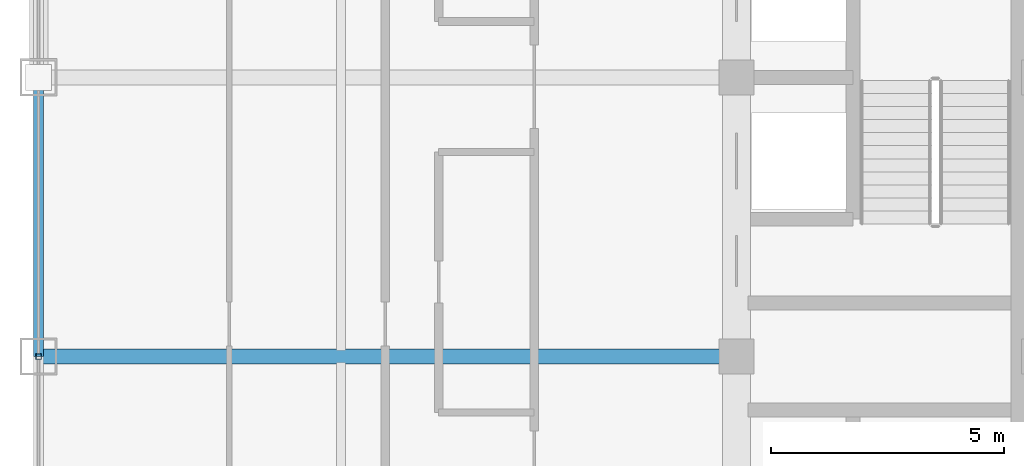
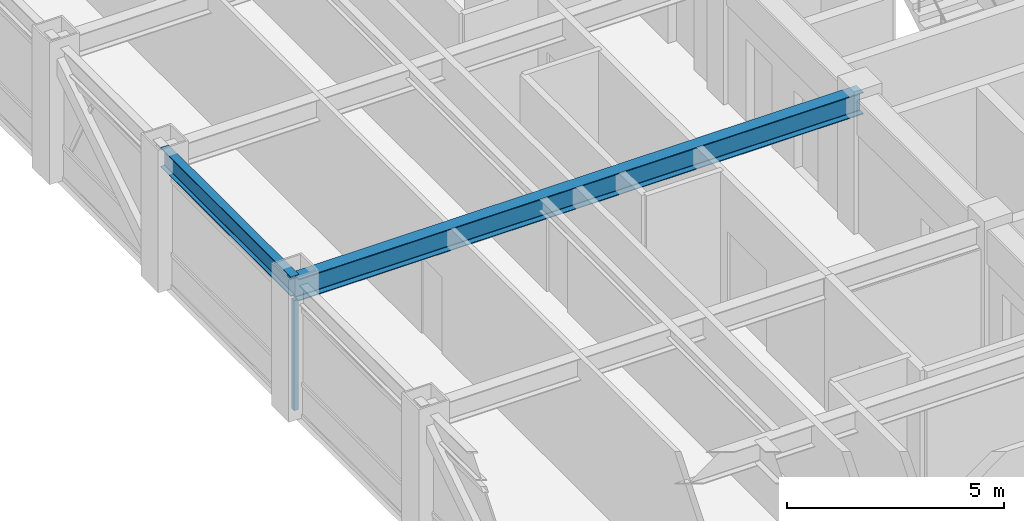
# One storey, part 6 of 28: 2 beams, 1 member, 1 element without a shape of its own.
"""IFC4 building model written with IfcOpenShell, lengths in metres."""

from ifc_helpers import new_model, si_unit, direction, frame, origin, origin_2d, place, context, subcontext, project, spatial, hollow_rectangle, i_section, extrude, source, transform, mapped, material, material_profile, profile_set, type_object, element, aggregate, save


model = new_model("IFC4")

# Units and contexts
model_context = context("Model", 3, precision=1e-05, world=origin(), true_north=direction((0.0, 1.0)))
body_context = subcontext(model_context, "Body", "Model", "MODEL_VIEW")
ifc_project = project(units=[si_unit("LENGTHUNIT", "METRE"), si_unit("AREAUNIT", "SQUARE_METRE"), si_unit("VOLUMEUNIT", "CUBIC_METRE"), si_unit("PLANEANGLEUNIT", "RADIAN"), si_unit("MASSUNIT", "GRAM", prefix="KILO")], contexts=[model_context])

# Site, building, storey
site_placement = place(None, origin())
site = spatial("IfcSite", under=ifc_project, at=site_placement, CompositionType="ELEMENT")
building_placement = place(site_placement, origin())
building = spatial("IfcBuilding", under=site, at=building_placement, Name="Khorayat Bourse Tower", CompositionType="ELEMENT")
storey_placement = place(building_placement, frame((0.0, 0.0, 330.300048828125)))
storey = spatial("IfcBuildingStorey", under=building, at=storey_placement, Name="L78", CompositionType="ELEMENT", Elevation=330.300048828125)

# Beams
ifc_material_1 = material(Name="Steel ASTM A992 Grade 50", Category="steel")
ifc_material_profile_1 = material_profile(ifc_material_1, i_section(OverallWidth=0.214111328125, OverallDepth=0.549072265625, WebThickness=0.0146484375, FlangeThickness=0.023681640625, FilletRadius=0.013916015625, at=origin_2d()), Name="W530X138")
ifc_profile_set_1 = profile_set([ifc_material_profile_1], Name="Steel ASTM A992 Grade 50")
beam_type_1 = type_object("IfcBeamType", Name="BM-SPAN-530", PredefinedType="SPANDREL", material=ifc_profile_set_1)
shared_shape_1 = source(origin(), body_context, "Body", "SweptSolid", [
    extrude(i_section(OverallWidth=0.214111328125, OverallDepth=0.549072265625, WebThickness=0.0146484375, FlangeThickness=0.023681640625, FilletRadius=0.013916015625, at=origin_2d()), origin(), (0.0, 0.0, 1.0), 6.0),
])
beam_1_placement = place(storey_placement, frame((-26.0, 0.0, 3.46533203125), z_axis=(0.0, 1.0, 0.0), x_axis=(-1.0, 0.0, 0.0)))
element("IfcBeam", 1, at=beam_1_placement, inside=storey, type_object=beam_type_1, Name="L78 BM-SPAN-530 BM-L78-SPN-050", PredefinedType="SPANDREL", context=body_context, shape_type="MappedRepresentation", body=[
    mapped(shared_shape_1, transform((0.0, 0.0, 0.0), scale=1.0)),
])
ifc_material_profile_2 = material_profile(ifc_material_1, i_section(OverallWidth=0.324951171875, OverallDepth=0.615966796875, WebThickness=0.013916015625, FlangeThickness=0.021484375, FilletRadius=0.01611328125, at=origin_2d()), Name="W610X174")
ifc_profile_set_2 = profile_set([ifc_material_profile_2], Name="Steel ASTM A992 Grade 50")
beam_type_2 = type_object("IfcBeamType", Name="BM-GIRD-610", PredefinedType="BEAM", material=ifc_profile_set_2)
shared_shape_2 = source(origin(), body_context, "Body", "SweptSolid", [
    extrude(i_section(OverallWidth=0.324951171875, OverallDepth=0.615966796875, WebThickness=0.013916015625, FlangeThickness=0.021484375, FilletRadius=0.01611328125, at=origin_2d()), origin(), (0.0, 0.0, 1.0), 15.0),
])
beam_2_placement = place(storey_placement, frame((-26.0, 0.0, 3.431884765625), z_axis=(1.0, 0.0, 0.0), x_axis=(0.0, 1.0, 0.0)))
element("IfcBeam", 2, at=beam_2_placement, inside=storey, type_object=beam_type_2, Name="L78 BM-GIRD-610 BM-L78-RADX-071", PredefinedType="BEAM", context=body_context, shape_type="MappedRepresentation", body=[
    mapped(shared_shape_2, transform((0.0, 0.0, 0.0), scale=1.0)),
])

# Curtain wall, member
ifc_material_2 = material(Name="Aluminium EN AW-6063 T6", Category="aluminium")
curtain_wall_type = type_object("IfcCurtainWallType", Name="CW-SYS-04", PredefinedType="NOTDEFINED", material=ifc_material_2)
curtain_wall_placement = place(storey_placement, origin())
curtain_wall = element("IfcCurtainWall", 3, at=curtain_wall_placement, inside=storey, type_object=curtain_wall_type, Name="L78 Curtain Wall CW-L78-W1", PredefinedType="NOTDEFINED")
ifc_material_profile_3 = material_profile(ifc_material_2, hollow_rectangle(XDim=0.1201171875, YDim=0.1201171875, WallThickness=0.0048828125, at=origin_2d()), Name="ALU 120x120x5")
ifc_profile_set_3 = profile_set([ifc_material_profile_3], Name="Aluminium EN AW-6063 T6")
member_type = type_object("IfcMemberType", Name="CWM-VERT-120", PredefinedType="MULLION", material=ifc_profile_set_3)
shared_shape_3 = source(origin(), body_context, "Body", "SweptSolid", [
    extrude(hollow_rectangle(XDim=0.1201171875, YDim=0.1201171875, WallThickness=0.0048828125, at=origin_2d()), origin(), (0.0, 0.0, 1.0), 3.08984375),
])
member_placement = place(storey_placement, frame((-26.0, 0.0, 0.0), z_axis=(0.0, 0.0, 1.0), x_axis=(-1.0, 0.0, 0.0)))
member = element("IfcMember", 4, at=member_placement, type_object=member_type, Name="CW-L78-W1 Vertical Mullion 2", PredefinedType="MULLION", context=body_context, shape_type="MappedRepresentation", body=[
    mapped(shared_shape_3, transform((0.0, 0.0, 0.0), scale=1.0)),
])
aggregate(curtain_wall, [member])

save(model, "model.ifc")
